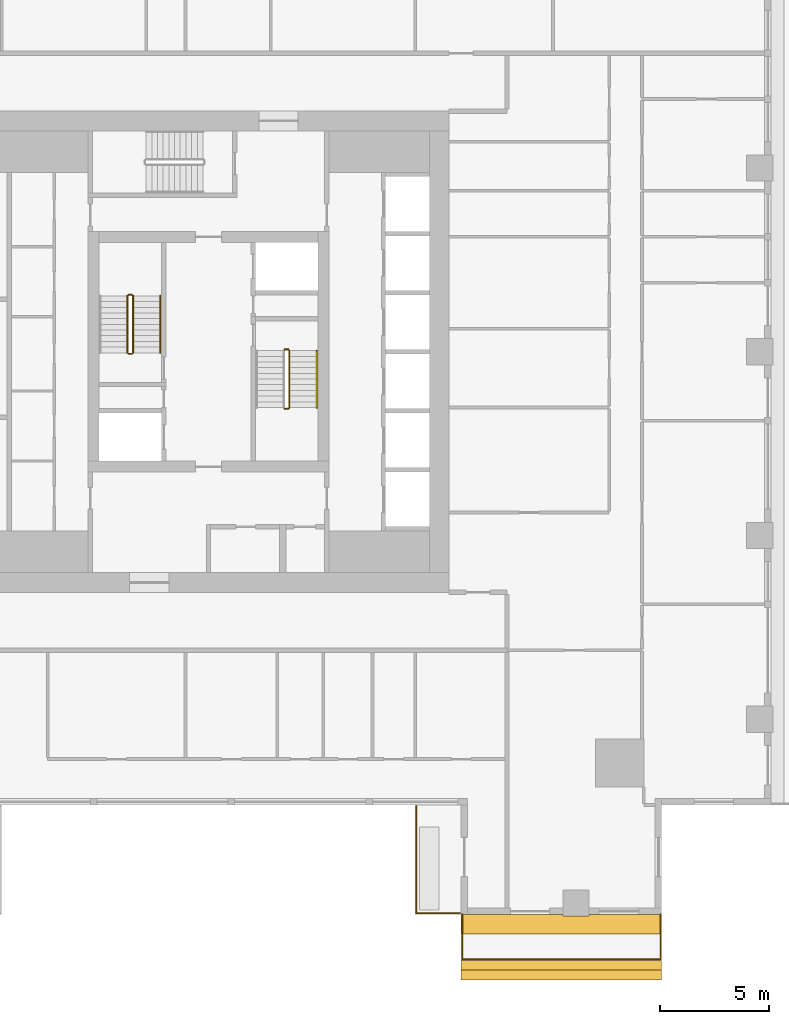
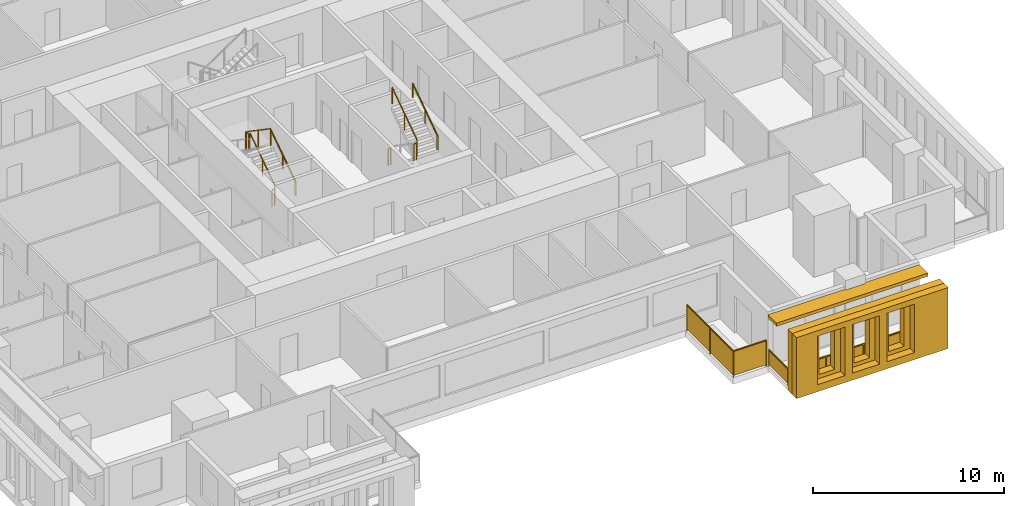
# One storey, part 11 of 14: 11 railings, 3 shading devices.
"""IFC4 building model written with IfcOpenShell, lengths in metres."""

from ifc_helpers import new_model, si_unit, direction, frame, origin, origin_2d, place, context, subcontext, project, spatial, polyline, rectangle, outline, extrude, material, layer, layer_set, type_object, element, save


model = new_model("IFC4")

# Units and contexts
model_context = context("Model", 3, precision=1e-05, world=origin(), true_north=direction((0.0, 1.0)))
body_context = subcontext(model_context, "Body", "Model", "MODEL_VIEW")
ifc_project = project(units=[si_unit("LENGTHUNIT", "METRE"), si_unit("AREAUNIT", "SQUARE_METRE"), si_unit("VOLUMEUNIT", "CUBIC_METRE"), si_unit("PLANEANGLEUNIT", "RADIAN"), si_unit("MASSUNIT", "GRAM", prefix="KILO")], contexts=[model_context])

# Site, building, storey
site_placement = place(None, origin())
site = spatial("IfcSite", under=ifc_project, at=site_placement, CompositionType="ELEMENT")
building_placement = place(site_placement, origin())
building = spatial("IfcBuilding", under=site, at=building_placement, Name="Khepri Terraces", CompositionType="ELEMENT")
storey_placement = place(building_placement, frame((0.0, 0.0, 271.800048828125)))
storey = spatial("IfcBuildingStorey", under=building, at=storey_placement, Name="L65", CompositionType="ELEMENT", Elevation=271.800048828125)

# Railings
ifc_material_1 = material(Name="Stainless steel grade 316", Category="steel")
railing_type_1 = type_object("IfcRailingType", Name="GRD-BAL-1100", PredefinedType="GUARDRAIL", material=ifc_material_1)
railing_1_placement = place(storey_placement, frame((11.60009765625, -25.719970703125, 0.0)))
element("IfcRailing", 1, at=railing_1_placement, inside=storey, type_object=railing_type_1, Name="Balcony guard L65 S", PredefinedType="GUARDRAIL", context=body_context, shape_type="SweptSolid", body=[
    extrude(rectangle(XDim=0.050048828125, YDim=0.06005859375, at=origin_2d()), frame((0.0, 0.0, 1.070068359375), z_axis=(0.0, -1.0, 0.0), x_axis=(1.0, 0.0, 0.0)), (0.0, 0.0, 1.0), 2.050048828125),
    extrude(rectangle(XDim=2.0, YDim=0.011962890625, at=origin_2d()), frame((0.0, -1.02490234375, 0.10009765625), z_axis=(0.0, 0.0, 1.0), x_axis=(0.0, -1.0, 0.0)), (0.0, 0.0, 1.0), 0.93994140625),
    extrude(rectangle(XDim=0.050048828125, YDim=0.06005859375, at=origin_2d()), frame((0.0, -2.050048828125, 1.070068359375), z_axis=(1.0, 0.0, 0.0), x_axis=(0.0, 1.0, 0.0)), (0.0, 0.0, 1.0), 9.06982421875),
    extrude(rectangle(XDim=2.21728515625, YDim=0.011962890625, at=origin_2d()), frame((1.1337890625, -2.050048828125, 0.10009765625), z_axis=(0.0, 0.0, 1.0), x_axis=(1.0, 0.0, 0.0)), (0.0, 0.0, 1.0), 0.93994140625),
    extrude(rectangle(XDim=2.21728515625, YDim=0.011962890625, at=origin_2d()), frame((3.401123046875, -2.050048828125, 0.10009765625), z_axis=(0.0, 0.0, 1.0), x_axis=(1.0, 0.0, 0.0)), (0.0, 0.0, 1.0), 0.93994140625),
    extrude(rectangle(XDim=2.21728515625, YDim=0.011962890625, at=origin_2d()), frame((5.668701171875, -2.050048828125, 0.10009765625), z_axis=(0.0, 0.0, 1.0), x_axis=(1.0, 0.0, 0.0)), (0.0, 0.0, 1.0), 0.93994140625),
    extrude(rectangle(XDim=2.21728515625, YDim=0.011962890625, at=origin_2d()), frame((7.93603515625, -2.050048828125, 0.10009765625), z_axis=(0.0, 0.0, 1.0), x_axis=(1.0, 0.0, 0.0)), (0.0, 0.0, 1.0), 0.93994140625),
    extrude(rectangle(XDim=0.050048828125, YDim=0.06005859375, at=origin_2d()), frame((9.06982421875, -2.050048828125, 1.070068359375), z_axis=(0.0, 1.0, 0.0), x_axis=(-1.0, 0.0, 0.0)), (0.0, 0.0, 1.0), 2.050048828125),
    extrude(rectangle(XDim=2.0, YDim=0.011962890625, at=origin_2d()), frame((9.06982421875, -1.02490234375, 0.10009765625), z_axis=(0.0, 0.0, 1.0), x_axis=(0.0, 1.0, 0.0)), (0.0, 0.0, 1.0), 0.93994140625),
    extrude(rectangle(XDim=0.050048828125, YDim=0.050048828125, at=origin_2d()), origin(), (0.0, 0.0, 1.0), 1.0400390625),
    extrude(rectangle(XDim=0.050048828125, YDim=0.050048828125, at=origin_2d()), frame((0.0, -2.050048828125, 0.0)), (0.0, 0.0, 1.0), 1.0400390625),
    extrude(rectangle(XDim=0.050048828125, YDim=0.050048828125, at=origin_2d()), frame((2.267578125, -2.050048828125, 0.0)), (0.0, 0.0, 1.0), 1.0400390625),
    extrude(rectangle(XDim=0.050048828125, YDim=0.050048828125, at=origin_2d()), frame((4.534912109375, -2.050048828125, 0.0)), (0.0, 0.0, 1.0), 1.0400390625),
    extrude(rectangle(XDim=0.050048828125, YDim=0.050048828125, at=origin_2d()), frame((6.80224609375, -2.050048828125, 0.0)), (0.0, 0.0, 1.0), 1.0400390625),
    extrude(rectangle(XDim=0.050048828125, YDim=0.050048828125, at=origin_2d()), frame((9.06982421875, -2.050048828125, 0.0)), (0.0, 0.0, 1.0), 1.0400390625),
    extrude(rectangle(XDim=0.050048828125, YDim=0.050048828125, at=origin_2d()), frame((9.06982421875, 0.0, 0.0)), (0.0, 0.0, 1.0), 1.0400390625),
])
railing_type_2 = type_object("IfcRailingType", Name="GRD-TERR-1700", PredefinedType="GUARDRAIL", material=ifc_material_1)
railing_2_placement = place(storey_placement, frame((11.47998046875, -25.669921875, 0.0)))
element("IfcRailing", 2, at=railing_2_placement, inside=storey, type_object=railing_type_2, Name="Terrace guard L65", PredefinedType="GUARDRAIL", context=body_context, shape_type="SweptSolid", body=[
    extrude(rectangle(XDim=0.050048828125, YDim=0.06005859375, at=origin_2d()), frame((0.0, 0.0, 1.669921875), z_axis=(-1.0, 0.0, 0.0), x_axis=(0.0, -1.0, 0.0)), (0.0, 0.0, 1.0), 1.97998046875),
    extrude(rectangle(XDim=1.929931640625, YDim=0.011962890625, at=origin_2d()), frame((-0.989990234375, 0.0, 0.10009765625), z_axis=(0.0, 0.0, 1.0), x_axis=(-1.0, 0.0, 0.0)), (0.0, 0.0, 1.0), 1.539794921875),
    extrude(rectangle(XDim=0.050048828125, YDim=0.06005859375, at=origin_2d()), frame((-1.97998046875, 0.0, 1.669921875), z_axis=(0.0, 1.0, 0.0), x_axis=(-1.0, 0.0, 0.0)), (0.0, 0.0, 1.0), 4.8798828125),
    extrude(rectangle(XDim=2.389892578125, YDim=0.011962890625, at=origin_2d()), frame((-1.97998046875, 1.219970703125, 0.10009765625), z_axis=(0.0, 0.0, 1.0), x_axis=(0.0, 1.0, 0.0)), (0.0, 0.0, 1.0), 1.539794921875),
    extrude(rectangle(XDim=2.389892578125, YDim=0.011962890625, at=origin_2d()), frame((-1.97998046875, 3.659912109375, 0.10009765625), z_axis=(0.0, 0.0, 1.0), x_axis=(0.0, 1.0, 0.0)), (0.0, 0.0, 1.0), 1.539794921875),
    extrude(rectangle(XDim=0.050048828125, YDim=0.050048828125, at=origin_2d()), origin(), (0.0, 0.0, 1.0), 1.639892578125),
    extrude(rectangle(XDim=0.050048828125, YDim=0.050048828125, at=origin_2d()), frame((-1.97998046875, 0.0, 0.0)), (0.0, 0.0, 1.0), 1.639892578125),
    extrude(rectangle(XDim=0.050048828125, YDim=0.050048828125, at=origin_2d()), frame((-1.97998046875, 2.43994140625, 0.0)), (0.0, 0.0, 1.0), 1.639892578125),
    extrude(rectangle(XDim=0.050048828125, YDim=0.050048828125, at=origin_2d()), frame((-1.97998046875, 4.8798828125, 0.0)), (0.0, 0.0, 1.0), 1.639892578125),
])
ifc_material_2 = material(Name="Stainless steel 316", Category="steel")
railing_type_3 = type_object("IfcRailingType", Name="RL-CORE-GUARD", PredefinedType="GUARDRAIL", material=ifc_material_2)
railing_3_placement = place(storey_placement, frame((-3.449951171875, -0.050048828125, 0.17724609375)))
element("IfcRailing", 3, at=railing_3_placement, inside=storey, type_object=railing_type_3, Name="L65 ST-1 stair guard 1", PredefinedType="GUARDRAIL", context=body_context, shape_type="SweptSolid", body=[
    extrude(rectangle(XDim=0.050048828125, YDim=0.06005859375, at=origin_2d()), frame((0.0, 0.0, 1.070068359375), z_axis=(0.0, 0.826240473404, 0.563317565952), x_axis=(-1.0, 0.0, 0.0)), (0.0, 0.0, 1.0), 3.14697265625),
    extrude(rectangle(XDim=0.050048828125, YDim=0.050048828125, at=origin_2d()), origin(), (0.0, 0.0, 1.0), 1.0400390625),
    extrude(rectangle(XDim=0.050048828125, YDim=0.050048828125, at=origin_2d()), frame((0.0, 1.300048828125, 0.88623046875)), (0.0, 0.0, 1.0), 1.0400390625),
    extrude(rectangle(XDim=0.050048828125, YDim=0.050048828125, at=origin_2d()), frame((0.0, 2.60009765625, 1.772705078125)), (0.0, 0.0, 1.0), 1.0400390625),
])
railing_4_placement = place(storey_placement, frame((-3.5, 2.60009765625, 1.949951171875)))
element("IfcRailing", 4, at=railing_4_placement, inside=storey, type_object=railing_type_3, Name="L65 ST-1 stair guard 2", PredefinedType="GUARDRAIL", context=body_context, shape_type="SweptSolid", body=[
    extrude(rectangle(XDim=0.050048828125, YDim=0.06005859375, at=origin_2d()), frame((0.0, 0.0, 1.070068359375), z_axis=(-1.0, 0.0, 0.0), x_axis=(0.0, -1.0, 0.0)), (0.0, 0.0, 1.0), 0.14990234375),
    extrude(rectangle(XDim=0.050048828125, YDim=0.050048828125, at=origin_2d()), origin(), (0.0, 0.0, 1.0), 1.0400390625),
    extrude(rectangle(XDim=0.050048828125, YDim=0.050048828125, at=origin_2d()), frame((-0.14990234375, 0.0, 0.0)), (0.0, 0.0, 1.0), 1.0400390625),
])
railing_5_placement = place(storey_placement, frame((-3.699951171875, 2.550048828125, 2.127197265625)))
element("IfcRailing", 5, at=railing_5_placement, inside=storey, type_object=railing_type_3, Name="L65 ST-1 stair guard 3", PredefinedType="GUARDRAIL", context=body_context, shape_type="SweptSolid", body=[
    extrude(rectangle(XDim=0.050048828125, YDim=0.06005859375, at=origin_2d()), frame((0.0, 0.0, 1.070068359375), z_axis=(0.0, -0.826240473404, 0.563317565952), x_axis=(1.0, 0.0, 0.0)), (0.0, 0.0, 1.0), 3.14697265625),
    extrude(rectangle(XDim=0.050048828125, YDim=0.050048828125, at=origin_2d()), origin(), (0.0, 0.0, 1.0), 1.0400390625),
    extrude(rectangle(XDim=0.050048828125, YDim=0.050048828125, at=origin_2d()), frame((0.0, -1.300048828125, 0.88623046875)), (0.0, 0.0, 1.0), 1.0400390625),
    extrude(rectangle(XDim=0.050048828125, YDim=0.050048828125, at=origin_2d()), frame((0.0, -2.60009765625, 1.772705078125)), (0.0, 0.0, 1.0), 1.0400390625),
])
railing_6_placement = place(storey_placement, frame((-3.5, -0.10009765625, 0.0)))
element("IfcRailing", 6, at=railing_6_placement, inside=storey, type_object=railing_type_3, Name="L65 ST-1 stair guard 4", PredefinedType="GUARDRAIL", context=body_context, shape_type="SweptSolid", body=[
    extrude(rectangle(XDim=0.050048828125, YDim=0.06005859375, at=origin_2d()), frame((0.0, 0.0, 1.070068359375), z_axis=(-1.0, 0.0, 0.0), x_axis=(0.0, -1.0, 0.0)), (0.0, 0.0, 1.0), 0.14990234375),
    extrude(rectangle(XDim=0.050048828125, YDim=0.050048828125, at=origin_2d()), origin(), (0.0, 0.0, 1.0), 1.0400390625),
    extrude(rectangle(XDim=0.050048828125, YDim=0.050048828125, at=origin_2d()), frame((-0.14990234375, 0.0, 0.0)), (0.0, 0.0, 1.0), 1.0400390625),
])
railing_7_placement = place(storey_placement, frame((3.5, -2.60009765625, 1.949951171875)))
element("IfcRailing", 7, at=railing_7_placement, inside=storey, type_object=railing_type_3, Name="L65 ST-2 stair guard 2", PredefinedType="GUARDRAIL", context=body_context, shape_type="SweptSolid", body=[
    extrude(rectangle(XDim=0.050048828125, YDim=0.06005859375, at=origin_2d()), frame((0.0, 0.0, 1.070068359375), z_axis=(1.0, 0.0, 0.0), x_axis=(0.0, 1.0, 0.0)), (0.0, 0.0, 1.0), 0.14990234375),
    extrude(rectangle(XDim=0.050048828125, YDim=0.050048828125, at=origin_2d()), origin(), (0.0, 0.0, 1.0), 1.0400390625),
    extrude(rectangle(XDim=0.050048828125, YDim=0.050048828125, at=origin_2d()), frame((0.14990234375, 0.0, 0.0)), (0.0, 0.0, 1.0), 1.0400390625),
])
railing_8_placement = place(storey_placement, frame((3.699951171875, -2.550048828125, 2.127197265625)))
element("IfcRailing", 8, at=railing_8_placement, inside=storey, type_object=railing_type_3, Name="L65 ST-2 stair guard 3", PredefinedType="GUARDRAIL", context=body_context, shape_type="SweptSolid", body=[
    extrude(rectangle(XDim=0.050048828125, YDim=0.06005859375, at=origin_2d()), frame((0.0, 0.0, 1.070068359375), z_axis=(0.0, 0.826240473404, 0.563317565952), x_axis=(-1.0, 0.0, 0.0)), (0.0, 0.0, 1.0), 3.14697265625),
    extrude(rectangle(XDim=0.050048828125, YDim=0.050048828125, at=origin_2d()), origin(), (0.0, 0.0, 1.0), 1.0400390625),
    extrude(rectangle(XDim=0.050048828125, YDim=0.050048828125, at=origin_2d()), frame((0.0, 1.300048828125, 0.88623046875)), (0.0, 0.0, 1.0), 1.0400390625),
    extrude(rectangle(XDim=0.050048828125, YDim=0.050048828125, at=origin_2d()), frame((0.0, 2.60009765625, 1.772705078125)), (0.0, 0.0, 1.0), 1.0400390625),
])
railing_9_placement = place(storey_placement, frame((3.5, 0.10009765625, 0.0)))
element("IfcRailing", 9, at=railing_9_placement, inside=storey, type_object=railing_type_3, Name="L65 ST-2 stair guard 4", PredefinedType="GUARDRAIL", context=body_context, shape_type="SweptSolid", body=[
    extrude(rectangle(XDim=0.050048828125, YDim=0.06005859375, at=origin_2d()), frame((0.0, 0.0, 1.070068359375), z_axis=(1.0, 0.0, 0.0), x_axis=(0.0, 1.0, 0.0)), (0.0, 0.0, 1.0), 0.14990234375),
    extrude(rectangle(XDim=0.050048828125, YDim=0.050048828125, at=origin_2d()), origin(), (0.0, 0.0, 1.0), 1.0400390625),
    extrude(rectangle(XDim=0.050048828125, YDim=0.050048828125, at=origin_2d()), frame((0.14990234375, 0.0, 0.0)), (0.0, 0.0, 1.0), 1.0400390625),
])
railing_type_4 = type_object("IfcRailingType", Name="RL-CORE-HANDRAIL", PredefinedType="HANDRAIL", material=ifc_material_2)
for number, where, name in (
    (10, (-2.199951171875, -0.050048828125, 0.17724609375), "L65 ST-1 stair handrail 1"),
    (11, (4.949951171875, -2.550048828125, 2.127197265625), "L65 ST-2 stair handrail 2"),
):
    element("IfcRailing", number, at=place(storey_placement, frame(where)), inside=storey, type_object=railing_type_4, Name=name, PredefinedType="HANDRAIL", context=body_context, shape_type="SweptSolid", body=[
        extrude(rectangle(XDim=0.050048828125, YDim=0.050048828125, at=origin_2d()), frame((0.0, 0.0, 0.875), z_axis=(0.0, 0.826240473404, 0.563317565952), x_axis=(-1.0, 0.0, 0.0)), (0.0, 0.0, 1.0), 3.14697265625),
        extrude(rectangle(XDim=0.050048828125, YDim=0.050048828125, at=origin_2d()), origin(), (0.0, 0.0, 1.0), 0.849853515625),
        extrude(rectangle(XDim=0.050048828125, YDim=0.050048828125, at=origin_2d()), frame((0.0, 1.300048828125, 0.88623046875)), (0.0, 0.0, 1.0), 0.849853515625),
        extrude(rectangle(XDim=0.050048828125, YDim=0.050048828125, at=origin_2d()), frame((0.0, 2.60009765625, 1.772705078125)), (0.0, 0.0, 1.0), 0.849853515625),
    ])

# Shading devices
ifc_material_3 = material(Name="Precast concrete C50/60 warm stone", Category="masonry")
shading_device_type_1 = type_object("IfcShadingDeviceType", Name="SCR-CELL-INNER-450", PredefinedType="USERDEFINED", material=ifc_material_3)
shading_device_1_placement = place(storey_placement, frame((11.550048828125, -27.820068359375, -0.25), z_axis=(0.0, -1.0, 0.0), x_axis=(1.0, 0.0, 0.0)))
element("IfcShadingDevice", 12, at=shading_device_1_placement, inside=storey, type_object=shading_device_type_1, Name="Cell screen L65 S in", ObjectType="SCREEN", PredefinedType="USERDEFINED", context=body_context, shape_type="SweptSolid", body=[
    extrude(outline(polyline([(0.0, 0.0), (9.169921875, 0.0), (9.169921875, 3.89990234375), (0.0, 3.89990234375), (0.0, 0.0)]), holes=[polyline([(1.62744140625, 0.699951171875), (2.572509765625, 0.699951171875), (2.572509765625, 3.300048828125), (1.62744140625, 3.300048828125), (1.62744140625, 0.699951171875)]), polyline([(3.7275390625, 0.699951171875), (4.672607421875, 0.699951171875), (4.672607421875, 3.300048828125), (3.7275390625, 3.300048828125), (3.7275390625, 0.699951171875)]), polyline([(5.827392578125, 0.699951171875), (6.7724609375, 0.699951171875), (6.7724609375, 3.300048828125), (5.827392578125, 3.300048828125), (5.827392578125, 0.699951171875)]), polyline([(7.927490234375, 0.699951171875), (8.87255859375, 0.699951171875), (8.87255859375, 3.300048828125), (7.927490234375, 3.300048828125), (7.927490234375, 0.699951171875)])]), origin(), (0.0, 0.0, 1.0), 0.449951171875),
])
shading_device_type_2 = type_object("IfcShadingDeviceType", Name="SCR-CELL-OUTER-450", PredefinedType="USERDEFINED", material=ifc_material_3)
shading_device_2_placement = place(storey_placement, frame((11.550048828125, -28.27001953125, -0.25), z_axis=(0.0, -1.0, 0.0), x_axis=(1.0, 0.0, 0.0)))
element("IfcShadingDevice", 13, at=shading_device_2_placement, inside=storey, type_object=shading_device_type_2, Name="Cell screen L65 S out", ObjectType="SCREEN", PredefinedType="USERDEFINED", context=body_context, shape_type="SweptSolid", body=[
    extrude(outline(polyline([(0.0, 0.0), (9.169921875, 0.0), (9.169921875, 3.89990234375), (0.0, 3.89990234375), (0.0, 0.0)]), holes=[polyline([(1.277587890625, 0.449951171875), (2.922607421875, 0.449951171875), (2.922607421875, 3.550048828125), (1.277587890625, 3.550048828125), (1.277587890625, 0.449951171875)]), polyline([(3.37744140625, 0.449951171875), (5.0224609375, 0.449951171875), (5.0224609375, 3.550048828125), (3.37744140625, 3.550048828125), (3.37744140625, 0.449951171875)]), polyline([(5.4775390625, 0.449951171875), (7.12255859375, 0.449951171875), (7.12255859375, 3.550048828125), (5.4775390625, 3.550048828125), (5.4775390625, 0.449951171875)])]), origin(), (0.0, 0.0, 1.0), 0.449951171875),
])
ifc_layer = layer(ifc_material_3, 0.199951171875, Name="Precast concrete C50/60 warm stone", Category="masonry")
ifc_layer_set = layer_set([ifc_layer], Name="Precast concrete C50/60 warm stone")
shading_device_type_3 = type_object("IfcShadingDeviceType", Name="SSH-BAND-STONE-200", PredefinedType="USERDEFINED", material=ifc_layer_set)
shading_device_3_placement = place(storey_placement, frame((0.0, 0.0, 3.099853515625)))
element("IfcShadingDevice", 14, at=shading_device_3_placement, inside=storey, type_object=shading_device_type_3, Name="Sunshade band L65 S", ObjectType="SUNSHADE", PredefinedType="USERDEFINED", context=body_context, shape_type="SweptSolid", body=[
    extrude(outline(polyline([(16.199951171875, -25.719970703125), (11.550048828125, -25.719970703125), (11.550048828125, -26.6201171875), (20.719970703125, -26.6201171875), (20.719970703125, -25.719970703125), (17.39990234375, -25.719970703125), (17.39990234375, -25.800048828125), (16.199951171875, -25.800048828125), (16.199951171875, -25.719970703125)])), origin(), (0.0, 0.0, 1.0), 0.2001953125),
])

save(model, "model.ifc")
